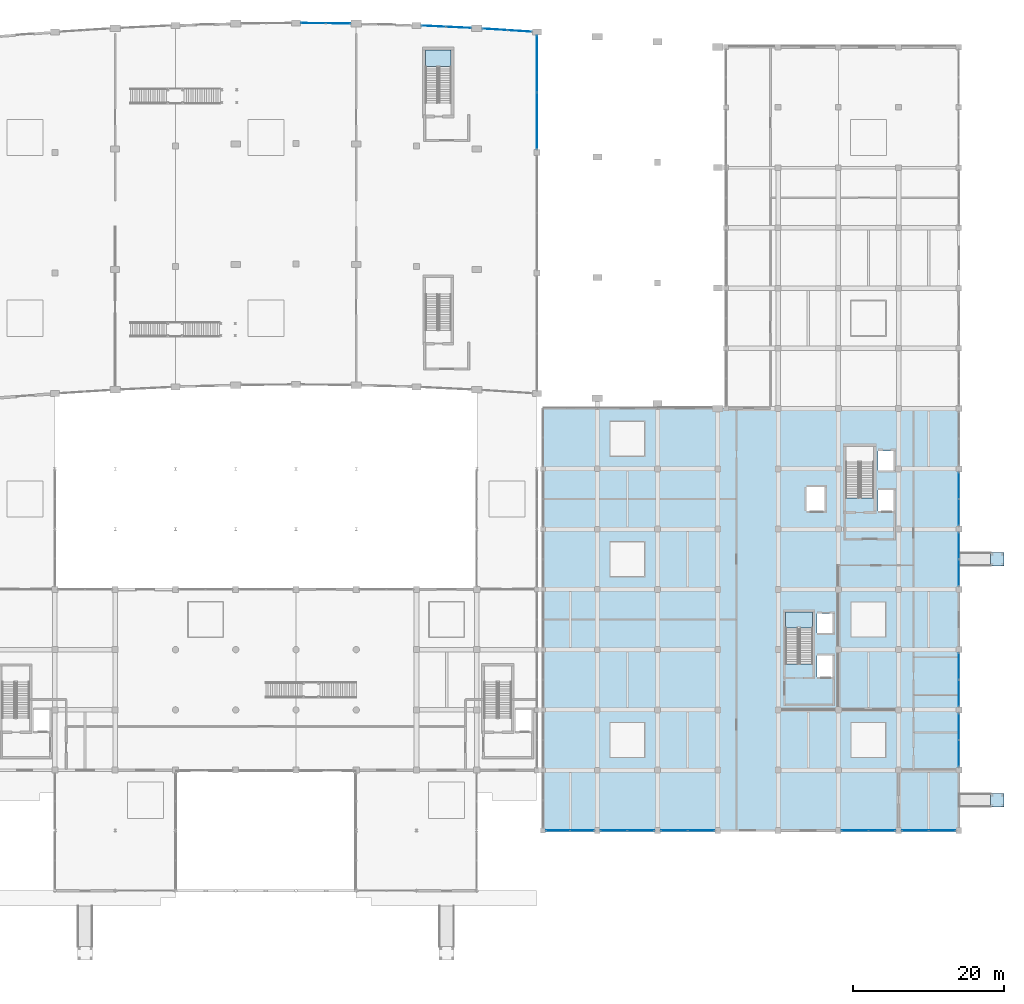
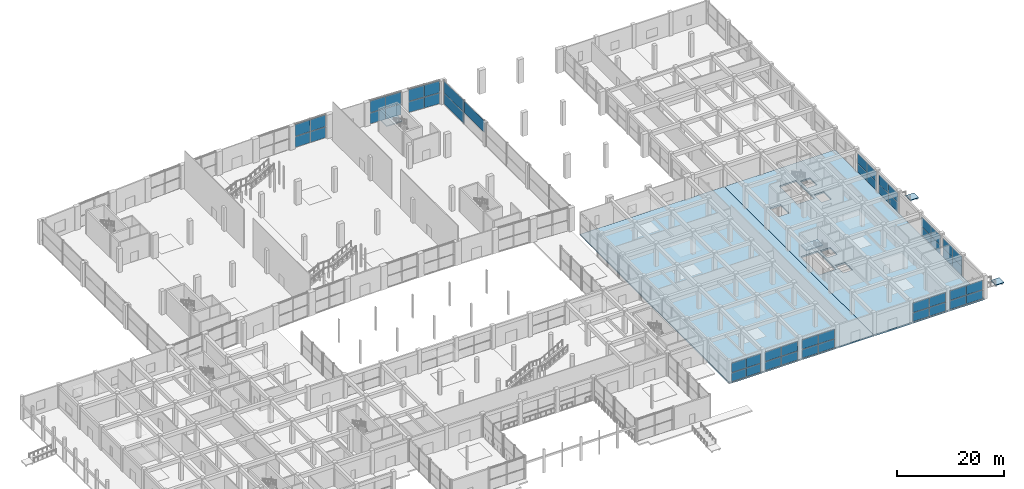
# One storey, part 52 of 86: 51 plates, 6 slabs, 17 elements without a shape of their own.
"""IFC4 building model written with IfcOpenShell, lengths in metres."""

from ifc_helpers import new_model, si_unit, direction, frame, origin, origin_2d, place, context, subcontext, project, spatial, polyline, rectangle, outline, extrude, material, layer, layer_set, type_object, element, aggregate, save


model = new_model("IFC4")

# Units and contexts
model_context = context("Model", 3, precision=1e-05, world=origin(), true_north=direction((0.0, 1.0)))
body_context = subcontext(model_context, "Body", "Model", "MODEL_VIEW")
ifc_project = project(units=[si_unit("LENGTHUNIT", "METRE"), si_unit("AREAUNIT", "SQUARE_METRE"), si_unit("VOLUMEUNIT", "CUBIC_METRE"), si_unit("PLANEANGLEUNIT", "RADIAN"), si_unit("MASSUNIT", "GRAM", prefix="KILO")], contexts=[model_context])

# Site, building, storey
site_placement = place(None, origin())
site = spatial("IfcSite", under=ifc_project, at=site_placement, CompositionType="ELEMENT")
building_placement = place(site_placement, origin())
building = spatial("IfcBuilding", under=site, at=building_placement, Name="Kenh Van Central Station", CompositionType="ELEMENT")
storey_placement = place(building_placement, origin())
storey = spatial("IfcBuildingStorey", under=building, at=storey_placement, Name="L00", CompositionType="ELEMENT", Elevation=0.0)

# Curtain wall, plates
ifc_material_1 = material(Name="Champagne anodised aluminium", Category="aluminium")
curtain_wall_type_1 = type_object("IfcCurtainWallType", Name="CW-HALL-B", PredefinedType="NOTDEFINED", material=ifc_material_1)
curtain_wall_1_placement = place(storey_placement, origin())
curtain_wall_1 = element("IfcCurtainWall", 1, at=curtain_wall_1_placement, inside=storey, type_object=curtain_wall_type_1, Name="L00 curtain wall 021", PredefinedType="NOTDEFINED")
ifc_material_2 = material(Name="Double-glazed low-E laminated solar glass", Category="glass")
ifc_layer_1 = layer(ifc_material_2, 0.031982421875, Name="Double-glazed low-E laminated solar glass")
ifc_layer_set_1 = layer_set([ifc_layer_1], Name="Double-glazed low-E laminated solar glass")
plate_type_1 = type_object("IfcPlateType", Name="CWP-IGU-32", PredefinedType="CURTAIN_PANEL", material=ifc_layer_set_1)
plate_1_placement = place(storey_placement, frame((120.0, 102.2158203125, 2.626953125), z_axis=(0.0, 0.0, 1.0), x_axis=(0.0, 1.0, 0.0)))
plate_1 = element("IfcPlate", 2, at=plate_1_placement, type_object=plate_type_1, Name="CW-02 panel 1.2", PredefinedType="CURTAIN_PANEL", context=body_context, shape_type="SweptSolid", body=[
    extrude(rectangle(XDim=7.47705078125, YDim=0.031982421875, at=origin_2d()), origin(), (0.0, 0.0, 1.0), 2.702880859375),
])
plate_2_placement = place(storey_placement, frame((120.0, 109.774658203125, 0.06982421875), z_axis=(0.0, 0.0, 1.0), x_axis=(0.0, 1.0, 0.0)))
plate_2 = element("IfcPlate", 3, at=plate_2_placement, type_object=plate_type_1, Name="CW-02 panel 2.1", PredefinedType="CURTAIN_PANEL", context=body_context, shape_type="SweptSolid", body=[
    extrude(rectangle(XDim=7.47705078125, YDim=0.031982421875, at=origin_2d()), origin(), (0.0, 0.0, 1.0), 2.487060546875),
])
plate_3_placement = place(storey_placement, frame((120.0, 109.774658203125, 2.626953125), z_axis=(0.0, 0.0, 1.0), x_axis=(0.0, 1.0, 0.0)))
plate_3 = element("IfcPlate", 4, at=plate_3_placement, type_object=plate_type_1, Name="CW-02 panel 2.2", PredefinedType="CURTAIN_PANEL", context=body_context, shape_type="SweptSolid", body=[
    extrude(rectangle(XDim=7.47705078125, YDim=0.031982421875, at=origin_2d()), origin(), (0.0, 0.0, 1.0), 2.702880859375),
])
aggregate(curtain_wall_1, [plate_1, plate_2, plate_3])

curtain_wall_type_2 = type_object("IfcCurtainWallType", Name="CW-OPER-A", PredefinedType="NOTDEFINED", material=ifc_material_1)
curtain_wall_2_placement = place(storey_placement, origin())
curtain_wall_2 = element("IfcCurtainWall", 5, at=curtain_wall_2_placement, inside=storey, type_object=curtain_wall_type_2, Name="L00 curtain wall 049", PredefinedType="NOTDEFINED")
plate_4_placement = place(storey_placement, frame((122.790771484375, 8.0, 0.072021484375), z_axis=(0.0, 0.0, 1.0), x_axis=(1.0, 0.0, 0.0)))
plate_4 = element("IfcPlate", 6, at=plate_4_placement, type_object=plate_type_1, Name="CW-07 panel 1.1", PredefinedType="CURTAIN_PANEL", context=body_context, shape_type="SweptSolid", body=[
    extrude(rectangle(XDim=3.10546875, YDim=0.031982421875, at=origin_2d()), origin(), (0.0, 0.0, 1.0), 2.013671875),
])
plate_5_placement = place(storey_placement, frame((122.790771484375, 8.0, 2.157470703125), z_axis=(0.0, 0.0, 1.0), x_axis=(1.0, 0.0, 0.0)))
plate_5 = element("IfcPlate", 7, at=plate_5_placement, type_object=plate_type_1, Name="CW-07 panel 1.2", PredefinedType="CURTAIN_PANEL", context=body_context, shape_type="SweptSolid", body=[
    extrude(rectangle(XDim=3.10546875, YDim=0.031982421875, at=origin_2d()), origin(), (0.0, 0.0, 1.0), 2.1904296875),
])
plate_6_placement = place(storey_placement, frame((125.984130859375, 8.0, 0.072021484375), z_axis=(0.0, 0.0, 1.0), x_axis=(1.0, 0.0, 0.0)))
plate_6 = element("IfcPlate", 8, at=plate_6_placement, type_object=plate_type_1, Name="CW-07 panel 2.1", PredefinedType="CURTAIN_PANEL", context=body_context, shape_type="SweptSolid", body=[
    extrude(rectangle(XDim=3.10546875, YDim=0.031982421875, at=origin_2d()), origin(), (0.0, 0.0, 1.0), 2.013671875),
])
plate_7_placement = place(storey_placement, frame((125.984130859375, 8.0, 2.157470703125), z_axis=(0.0, 0.0, 1.0), x_axis=(1.0, 0.0, 0.0)))
plate_7 = element("IfcPlate", 9, at=plate_7_placement, type_object=plate_type_1, Name="CW-07 panel 2.2", PredefinedType="CURTAIN_PANEL", context=body_context, shape_type="SweptSolid", body=[
    extrude(rectangle(XDim=3.10546875, YDim=0.031982421875, at=origin_2d()), origin(), (0.0, 0.0, 1.0), 2.1904296875),
])
aggregate(curtain_wall_2, [plate_4, plate_5, plate_6, plate_7])

curtain_wall_3_placement = place(storey_placement, origin())
curtain_wall_3 = element("IfcCurtainWall", 10, at=curtain_wall_3_placement, inside=storey, type_object=curtain_wall_type_2, Name="L00 curtain wall 050", PredefinedType="NOTDEFINED")
plate_8_placement = place(storey_placement, frame((130.20947265625, 8.0, 0.072021484375), z_axis=(0.0, 0.0, 1.0), x_axis=(1.0, 0.0, 0.0)))
plate_8 = element("IfcPlate", 11, at=plate_8_placement, type_object=plate_type_1, Name="CW-07 panel 1.1", PredefinedType="CURTAIN_PANEL", context=body_context, shape_type="SweptSolid", body=[
    extrude(rectangle(XDim=3.492919921875, YDim=0.031982421875, at=origin_2d()), origin(), (0.0, 0.0, 1.0), 2.013671875),
])
plate_9_placement = place(storey_placement, frame((130.20947265625, 8.0, 2.157470703125), z_axis=(0.0, 0.0, 1.0), x_axis=(1.0, 0.0, 0.0)))
plate_9 = element("IfcPlate", 12, at=plate_9_placement, type_object=plate_type_1, Name="CW-07 panel 1.2", PredefinedType="CURTAIN_PANEL", context=body_context, shape_type="SweptSolid", body=[
    extrude(rectangle(XDim=3.492919921875, YDim=0.031982421875, at=origin_2d()), origin(), (0.0, 0.0, 1.0), 2.1904296875),
])
plate_10_placement = place(storey_placement, frame((133.79052734375, 8.0, 0.072021484375), z_axis=(0.0, 0.0, 1.0), x_axis=(1.0, 0.0, 0.0)))
plate_10 = element("IfcPlate", 13, at=plate_10_placement, type_object=plate_type_1, Name="CW-07 panel 2.1", PredefinedType="CURTAIN_PANEL", context=body_context, shape_type="SweptSolid", body=[
    extrude(rectangle(XDim=3.492919921875, YDim=0.031982421875, at=origin_2d()), origin(), (0.0, 0.0, 1.0), 2.013671875),
])
plate_11_placement = place(storey_placement, frame((133.79052734375, 8.0, 2.157470703125), z_axis=(0.0, 0.0, 1.0), x_axis=(1.0, 0.0, 0.0)))
plate_11 = element("IfcPlate", 14, at=plate_11_placement, type_object=plate_type_1, Name="CW-07 panel 2.2", PredefinedType="CURTAIN_PANEL", context=body_context, shape_type="SweptSolid", body=[
    extrude(rectangle(XDim=3.492919921875, YDim=0.031982421875, at=origin_2d()), origin(), (0.0, 0.0, 1.0), 2.1904296875),
])
aggregate(curtain_wall_3, [plate_8, plate_9, plate_10, plate_11])

curtain_wall_4_placement = place(storey_placement, origin())
curtain_wall_4 = element("IfcCurtainWall", 15, at=curtain_wall_4_placement, inside=storey, type_object=curtain_wall_type_2, Name="L00 curtain wall 051", PredefinedType="NOTDEFINED")
plate_12_placement = place(storey_placement, frame((138.20947265625, 8.0, 0.072021484375), z_axis=(0.0, 0.0, 1.0), x_axis=(1.0, 0.0, 0.0)))
plate_12 = element("IfcPlate", 16, at=plate_12_placement, type_object=plate_type_1, Name="CW-07 panel 1.1", PredefinedType="CURTAIN_PANEL", context=body_context, shape_type="SweptSolid", body=[
    extrude(rectangle(XDim=3.492919921875, YDim=0.031982421875, at=origin_2d()), origin(), (0.0, 0.0, 1.0), 2.013671875),
])
plate_13_placement = place(storey_placement, frame((138.20947265625, 8.0, 2.157470703125), z_axis=(0.0, 0.0, 1.0), x_axis=(1.0, 0.0, 0.0)))
plate_13 = element("IfcPlate", 17, at=plate_13_placement, type_object=plate_type_1, Name="CW-07 panel 1.2", PredefinedType="CURTAIN_PANEL", context=body_context, shape_type="SweptSolid", body=[
    extrude(rectangle(XDim=3.492919921875, YDim=0.031982421875, at=origin_2d()), origin(), (0.0, 0.0, 1.0), 2.1904296875),
])
plate_14_placement = place(storey_placement, frame((141.79052734375, 8.0, 0.072021484375), z_axis=(0.0, 0.0, 1.0), x_axis=(1.0, 0.0, 0.0)))
plate_14 = element("IfcPlate", 18, at=plate_14_placement, type_object=plate_type_1, Name="CW-07 panel 2.1", PredefinedType="CURTAIN_PANEL", context=body_context, shape_type="SweptSolid", body=[
    extrude(rectangle(XDim=3.492919921875, YDim=0.031982421875, at=origin_2d()), origin(), (0.0, 0.0, 1.0), 2.013671875),
])
plate_15_placement = place(storey_placement, frame((141.79052734375, 8.0, 2.157470703125), z_axis=(0.0, 0.0, 1.0), x_axis=(1.0, 0.0, 0.0)))
plate_15 = element("IfcPlate", 19, at=plate_15_placement, type_object=plate_type_1, Name="CW-07 panel 2.2", PredefinedType="CURTAIN_PANEL", context=body_context, shape_type="SweptSolid", body=[
    extrude(rectangle(XDim=3.492919921875, YDim=0.031982421875, at=origin_2d()), origin(), (0.0, 0.0, 1.0), 2.1904296875),
])
aggregate(curtain_wall_4, [plate_12, plate_13, plate_14, plate_15])

curtain_wall_5_placement = place(storey_placement, origin())
curtain_wall_5 = element("IfcCurtainWall", 20, at=curtain_wall_5_placement, inside=storey, type_object=curtain_wall_type_2, Name="L00 curtain wall 052", PredefinedType="NOTDEFINED")
plate_16_placement = place(storey_placement, frame((162.20947265625, 8.0, 0.072021484375), z_axis=(0.0, 0.0, 1.0), x_axis=(1.0, 0.0, 0.0)))
plate_16 = element("IfcPlate", 21, at=plate_16_placement, type_object=plate_type_1, Name="CW-07 panel 1.1", PredefinedType="CURTAIN_PANEL", context=body_context, shape_type="SweptSolid", body=[
    extrude(rectangle(XDim=3.492919921875, YDim=0.031982421875, at=origin_2d()), origin(), (0.0, 0.0, 1.0), 2.013671875),
])
plate_17_placement = place(storey_placement, frame((162.20947265625, 8.0, 2.157470703125), z_axis=(0.0, 0.0, 1.0), x_axis=(1.0, 0.0, 0.0)))
plate_17 = element("IfcPlate", 22, at=plate_17_placement, type_object=plate_type_1, Name="CW-07 panel 1.2", PredefinedType="CURTAIN_PANEL", context=body_context, shape_type="SweptSolid", body=[
    extrude(rectangle(XDim=3.492919921875, YDim=0.031982421875, at=origin_2d()), origin(), (0.0, 0.0, 1.0), 2.1904296875),
])
plate_18_placement = place(storey_placement, frame((165.79052734375, 8.0, 0.072021484375), z_axis=(0.0, 0.0, 1.0), x_axis=(1.0, 0.0, 0.0)))
plate_18 = element("IfcPlate", 23, at=plate_18_placement, type_object=plate_type_1, Name="CW-07 panel 2.1", PredefinedType="CURTAIN_PANEL", context=body_context, shape_type="SweptSolid", body=[
    extrude(rectangle(XDim=3.492919921875, YDim=0.031982421875, at=origin_2d()), origin(), (0.0, 0.0, 1.0), 2.013671875),
])
plate_19_placement = place(storey_placement, frame((165.79052734375, 8.0, 2.157470703125), z_axis=(0.0, 0.0, 1.0), x_axis=(1.0, 0.0, 0.0)))
plate_19 = element("IfcPlate", 24, at=plate_19_placement, type_object=plate_type_1, Name="CW-07 panel 2.2", PredefinedType="CURTAIN_PANEL", context=body_context, shape_type="SweptSolid", body=[
    extrude(rectangle(XDim=3.492919921875, YDim=0.031982421875, at=origin_2d()), origin(), (0.0, 0.0, 1.0), 2.1904296875),
])
aggregate(curtain_wall_5, [plate_16, plate_17, plate_18, plate_19])

curtain_wall_6_placement = place(storey_placement, origin())
curtain_wall_6 = element("IfcCurtainWall", 25, at=curtain_wall_6_placement, inside=storey, type_object=curtain_wall_type_2, Name="L00 curtain wall 053", PredefinedType="NOTDEFINED")
plate_20_placement = place(storey_placement, frame((170.20947265625, 8.0, 0.072021484375), z_axis=(0.0, 0.0, 1.0), x_axis=(1.0, 0.0, 0.0)))
plate_20 = element("IfcPlate", 26, at=plate_20_placement, type_object=plate_type_1, Name="CW-07 panel 1.1", PredefinedType="CURTAIN_PANEL", context=body_context, shape_type="SweptSolid", body=[
    extrude(rectangle(XDim=3.492919921875, YDim=0.031982421875, at=origin_2d()), origin(), (0.0, 0.0, 1.0), 2.013671875),
])
plate_21_placement = place(storey_placement, frame((170.20947265625, 8.0, 2.157470703125), z_axis=(0.0, 0.0, 1.0), x_axis=(1.0, 0.0, 0.0)))
plate_21 = element("IfcPlate", 27, at=plate_21_placement, type_object=plate_type_1, Name="CW-07 panel 1.2", PredefinedType="CURTAIN_PANEL", context=body_context, shape_type="SweptSolid", body=[
    extrude(rectangle(XDim=3.492919921875, YDim=0.031982421875, at=origin_2d()), origin(), (0.0, 0.0, 1.0), 2.1904296875),
])
plate_22_placement = place(storey_placement, frame((173.79052734375, 8.0, 0.072021484375), z_axis=(0.0, 0.0, 1.0), x_axis=(1.0, 0.0, 0.0)))
plate_22 = element("IfcPlate", 28, at=plate_22_placement, type_object=plate_type_1, Name="CW-07 panel 2.1", PredefinedType="CURTAIN_PANEL", context=body_context, shape_type="SweptSolid", body=[
    extrude(rectangle(XDim=3.492919921875, YDim=0.031982421875, at=origin_2d()), origin(), (0.0, 0.0, 1.0), 2.013671875),
])
plate_23_placement = place(storey_placement, frame((173.79052734375, 8.0, 2.157470703125), z_axis=(0.0, 0.0, 1.0), x_axis=(1.0, 0.0, 0.0)))
plate_23 = element("IfcPlate", 29, at=plate_23_placement, type_object=plate_type_1, Name="CW-07 panel 2.2", PredefinedType="CURTAIN_PANEL", context=body_context, shape_type="SweptSolid", body=[
    extrude(rectangle(XDim=3.492919921875, YDim=0.031982421875, at=origin_2d()), origin(), (0.0, 0.0, 1.0), 2.1904296875),
])
aggregate(curtain_wall_6, [plate_20, plate_21, plate_22, plate_23])

curtain_wall_7_placement = place(storey_placement, origin())
curtain_wall_7 = element("IfcCurtainWall", 30, at=curtain_wall_7_placement, inside=storey, type_object=curtain_wall_type_1, Name="L00 curtain wall 011", PredefinedType="NOTDEFINED")
ifc_layer_2 = layer(ifc_material_2, 0.033935546875, Name="Double-glazed low-E laminated solar glass")
ifc_layer_set_2 = layer_set([ifc_layer_2], Name="Double-glazed low-E laminated solar glass")
plate_type_2 = type_object("IfcPlateType", Name="CWP-IGU-34", PredefinedType="CURTAIN_PANEL", material=ifc_layer_set_2)
plate_24_placement = place(storey_placement, frame((93.602783203125, 115.143798828125, 0.06982421875), z_axis=(0.0, 0.0, 1.0), x_axis=(-0.999949879657, 0.010011901592, 0.0)))
plate_24 = element("IfcPlate", 31, at=plate_24_placement, type_object=plate_type_2, Name="CW-02 panel 1.1", PredefinedType="CURTAIN_PANEL", context=body_context, shape_type="SweptSolid", body=[
    extrude(rectangle(XDim=3.22607421875, YDim=0.033935546875, at=origin_2d()), origin(), (0.0, 0.0, 1.0), 2.487060546875),
])
plate_25_placement = place(storey_placement, frame((93.602783203125, 115.143798828125, 2.626953125), z_axis=(0.0, 0.0, 1.0), x_axis=(-0.999949879657, 0.010011901592, 0.0)))
plate_25 = element("IfcPlate", 32, at=plate_25_placement, type_object=plate_type_2, Name="CW-02 panel 1.2", PredefinedType="CURTAIN_PANEL", context=body_context, shape_type="SweptSolid", body=[
    extrude(rectangle(XDim=3.22607421875, YDim=0.033935546875, at=origin_2d()), origin(), (0.0, 0.0, 1.0), 2.702880859375),
])
plate_26_placement = place(storey_placement, frame((90.296875, 115.177001953125, 0.06982421875), z_axis=(0.0, 0.0, 1.0), x_axis=(-0.999949879657, 0.010011901592, 0.0)))
plate_26 = element("IfcPlate", 33, at=plate_26_placement, type_object=plate_type_2, Name="CW-02 panel 2.1", PredefinedType="CURTAIN_PANEL", context=body_context, shape_type="SweptSolid", body=[
    extrude(rectangle(XDim=3.22607421875, YDim=0.033935546875, at=origin_2d()), origin(), (0.0, 0.0, 1.0), 2.487060546875),
])
plate_27_placement = place(storey_placement, frame((90.296875, 115.177001953125, 2.626953125), z_axis=(0.0, 0.0, 1.0), x_axis=(-0.999949879657, 0.010011901592, 0.0)))
plate_27 = element("IfcPlate", 34, at=plate_27_placement, type_object=plate_type_2, Name="CW-02 panel 2.2", PredefinedType="CURTAIN_PANEL", context=body_context, shape_type="SweptSolid", body=[
    extrude(rectangle(XDim=3.22607421875, YDim=0.033935546875, at=origin_2d()), origin(), (0.0, 0.0, 1.0), 2.702880859375),
])
aggregate(curtain_wall_7, [plate_24, plate_25, plate_26, plate_27])

curtain_wall_8_placement = place(storey_placement, origin())
curtain_wall_8 = element("IfcCurtainWall", 35, at=curtain_wall_8_placement, inside=storey, type_object=curtain_wall_type_1, Name="L00 curtain wall 013", PredefinedType="NOTDEFINED")
plate_28_placement = place(storey_placement, frame((109.594482421875, 114.616455078125, 0.06982421875), z_axis=(0.0, 0.0, 1.0), x_axis=(-0.99886644112, 0.047600764745, 0.0)))
plate_28 = element("IfcPlate", 36, at=plate_28_placement, type_object=plate_type_2, Name="CW-02 panel 1.1", PredefinedType="CURTAIN_PANEL", context=body_context, shape_type="SweptSolid", body=[
    extrude(rectangle(XDim=3.215087890625, YDim=0.033935546875, at=origin_2d()), origin(), (0.0, 0.0, 1.0), 2.487060546875),
])
plate_29_placement = place(storey_placement, frame((109.594482421875, 114.616455078125, 2.626953125), z_axis=(0.0, 0.0, 1.0), x_axis=(-0.99886644112, 0.047600764745, 0.0)))
plate_29 = element("IfcPlate", 37, at=plate_29_placement, type_object=plate_type_2, Name="CW-02 panel 1.2", PredefinedType="CURTAIN_PANEL", context=body_context, shape_type="SweptSolid", body=[
    extrude(rectangle(XDim=3.215087890625, YDim=0.033935546875, at=origin_2d()), origin(), (0.0, 0.0, 1.0), 2.702880859375),
])
plate_30_placement = place(storey_placement, frame((106.30322265625, 114.7734375, 0.06982421875), z_axis=(0.0, 0.0, 1.0), x_axis=(-0.99886644112, 0.047600764745, 0.0)))
plate_30 = element("IfcPlate", 38, at=plate_30_placement, type_object=plate_type_2, Name="CW-02 panel 2.1", PredefinedType="CURTAIN_PANEL", context=body_context, shape_type="SweptSolid", body=[
    extrude(rectangle(XDim=3.215087890625, YDim=0.033935546875, at=origin_2d()), origin(), (0.0, 0.0, 1.0), 2.487060546875),
])
plate_31_placement = place(storey_placement, frame((106.30322265625, 114.7734375, 2.626953125), z_axis=(0.0, 0.0, 1.0), x_axis=(-0.99886644112, 0.047600764745, 0.0)))
plate_31 = element("IfcPlate", 39, at=plate_31_placement, type_object=plate_type_2, Name="CW-02 panel 2.2", PredefinedType="CURTAIN_PANEL", context=body_context, shape_type="SweptSolid", body=[
    extrude(rectangle(XDim=3.215087890625, YDim=0.033935546875, at=origin_2d()), origin(), (0.0, 0.0, 1.0), 2.702880859375),
])
aggregate(curtain_wall_8, [plate_28, plate_29, plate_30, plate_31])

curtain_wall_9_placement = place(storey_placement, origin())
curtain_wall_9 = element("IfcCurtainWall", 40, at=curtain_wall_9_placement, inside=storey, type_object=curtain_wall_type_1, Name="L00 curtain wall 015", PredefinedType="NOTDEFINED")
plate_32_placement = place(storey_placement, frame((117.6943359375, 114.14111328125, 0.06982421875), z_axis=(0.0, 0.0, 1.0), x_axis=(-0.998000154852, 0.063211477724, 0.0)))
plate_32 = element("IfcPlate", 41, at=plate_32_placement, type_object=plate_type_2, Name="CW-02 panel 1.1", PredefinedType="CURTAIN_PANEL", context=body_context, shape_type="SweptSolid", body=[
    extrude(rectangle(XDim=3.21240234375, YDim=0.033935546875, at=origin_2d()), origin(), (0.0, 0.0, 1.0), 2.487060546875),
])
plate_33_placement = place(storey_placement, frame((117.6943359375, 114.14111328125, 2.626953125), z_axis=(0.0, 0.0, 1.0), x_axis=(-0.998000154852, 0.063211477724, 0.0)))
plate_33 = element("IfcPlate", 42, at=plate_33_placement, type_object=plate_type_2, Name="CW-02 panel 1.2", PredefinedType="CURTAIN_PANEL", context=body_context, shape_type="SweptSolid", body=[
    extrude(rectangle(XDim=3.21240234375, YDim=0.033935546875, at=origin_2d()), origin(), (0.0, 0.0, 1.0), 2.702880859375),
])
plate_34_placement = place(storey_placement, frame((114.408447265625, 114.349365234375, 0.06982421875), z_axis=(0.0, 0.0, 1.0), x_axis=(-0.998000154852, 0.063211477724, 0.0)))
plate_34 = element("IfcPlate", 43, at=plate_34_placement, type_object=plate_type_2, Name="CW-02 panel 2.1", PredefinedType="CURTAIN_PANEL", context=body_context, shape_type="SweptSolid", body=[
    extrude(rectangle(XDim=3.21240234375, YDim=0.033935546875, at=origin_2d()), origin(), (0.0, 0.0, 1.0), 2.487060546875),
])
plate_35_placement = place(storey_placement, frame((114.408447265625, 114.349365234375, 2.626953125), z_axis=(0.0, 0.0, 1.0), x_axis=(-0.998000154852, 0.063211477724, 0.0)))
plate_35 = element("IfcPlate", 44, at=plate_35_placement, type_object=plate_type_2, Name="CW-02 panel 2.2", PredefinedType="CURTAIN_PANEL", context=body_context, shape_type="SweptSolid", body=[
    extrude(rectangle(XDim=3.21240234375, YDim=0.033935546875, at=origin_2d()), origin(), (0.0, 0.0, 1.0), 2.702880859375),
])
aggregate(curtain_wall_9, [plate_32, plate_33, plate_34, plate_35])

curtain_wall_10_placement = place(storey_placement, origin())
curtain_wall_10 = element("IfcCurtainWall", 45, at=curtain_wall_10_placement, inside=storey, type_object=curtain_wall_type_2, Name="L00 curtain wall 054", PredefinedType="NOTDEFINED")
ifc_layer_3 = layer(ifc_material_2, 0.0380859375, Name="Double-glazed low-E laminated solar glass")
ifc_layer_set_3 = layer_set([ifc_layer_3], Name="Double-glazed low-E laminated solar glass")
plate_type_3 = type_object("IfcPlateType", Name="CWP-IGU-38", PredefinedType="CURTAIN_PANEL", material=ifc_layer_set_3)
plate_36_placement = place(storey_placement, frame((176.0, 18.221923828125, 0.072021484375), z_axis=(0.0, 0.0, 1.0), x_axis=(0.0, 1.0, 0.0)))
plate_36 = element("IfcPlate", 46, at=plate_36_placement, type_object=plate_type_3, Name="CW-07 panel 1.1", PredefinedType="CURTAIN_PANEL", context=body_context, shape_type="SweptSolid", body=[
    extrude(rectangle(XDim=3.468017578125, YDim=0.0380859375, at=origin_2d()), origin(), (0.0, 0.0, 1.0), 2.013671875),
])
plate_37_placement = place(storey_placement, frame((176.0, 18.221923828125, 2.157470703125), z_axis=(0.0, 0.0, 1.0), x_axis=(0.0, 1.0, 0.0)))
plate_37 = element("IfcPlate", 47, at=plate_37_placement, type_object=plate_type_3, Name="CW-07 panel 1.2", PredefinedType="CURTAIN_PANEL", context=body_context, shape_type="SweptSolid", body=[
    extrude(rectangle(XDim=3.468017578125, YDim=0.0380859375, at=origin_2d()), origin(), (0.0, 0.0, 1.0), 2.1904296875),
])
plate_38_placement = place(storey_placement, frame((176.0, 21.778076171875, 0.072021484375), z_axis=(0.0, 0.0, 1.0), x_axis=(0.0, 1.0, 0.0)))
plate_38 = element("IfcPlate", 48, at=plate_38_placement, type_object=plate_type_3, Name="CW-07 panel 2.1", PredefinedType="CURTAIN_PANEL", context=body_context, shape_type="SweptSolid", body=[
    extrude(rectangle(XDim=3.468017578125, YDim=0.0380859375, at=origin_2d()), origin(), (0.0, 0.0, 1.0), 2.013671875),
])
plate_39_placement = place(storey_placement, frame((176.0, 21.778076171875, 2.157470703125), z_axis=(0.0, 0.0, 1.0), x_axis=(0.0, 1.0, 0.0)))
plate_39 = element("IfcPlate", 49, at=plate_39_placement, type_object=plate_type_3, Name="CW-07 panel 2.2", PredefinedType="CURTAIN_PANEL", context=body_context, shape_type="SweptSolid", body=[
    extrude(rectangle(XDim=3.468017578125, YDim=0.0380859375, at=origin_2d()), origin(), (0.0, 0.0, 1.0), 2.1904296875),
])
aggregate(curtain_wall_10, [plate_36, plate_37, plate_38, plate_39])

curtain_wall_11_placement = place(storey_placement, origin())
curtain_wall_11 = element("IfcCurtainWall", 50, at=curtain_wall_11_placement, inside=storey, type_object=curtain_wall_type_2, Name="L00 curtain wall 055", PredefinedType="NOTDEFINED")
plate_40_placement = place(storey_placement, frame((176.0, 26.221923828125, 0.072021484375), z_axis=(0.0, 0.0, 1.0), x_axis=(0.0, 1.0, 0.0)))
plate_40 = element("IfcPlate", 51, at=plate_40_placement, type_object=plate_type_3, Name="CW-07 panel 1.1", PredefinedType="CURTAIN_PANEL", context=body_context, shape_type="SweptSolid", body=[
    extrude(rectangle(XDim=3.468017578125, YDim=0.0380859375, at=origin_2d()), origin(), (0.0, 0.0, 1.0), 2.013671875),
])
plate_41_placement = place(storey_placement, frame((176.0, 26.221923828125, 2.157470703125), z_axis=(0.0, 0.0, 1.0), x_axis=(0.0, 1.0, 0.0)))
plate_41 = element("IfcPlate", 52, at=plate_41_placement, type_object=plate_type_3, Name="CW-07 panel 1.2", PredefinedType="CURTAIN_PANEL", context=body_context, shape_type="SweptSolid", body=[
    extrude(rectangle(XDim=3.468017578125, YDim=0.0380859375, at=origin_2d()), origin(), (0.0, 0.0, 1.0), 2.1904296875),
])
plate_42_placement = place(storey_placement, frame((176.0, 29.778076171875, 0.072021484375), z_axis=(0.0, 0.0, 1.0), x_axis=(0.0, 1.0, 0.0)))
plate_42 = element("IfcPlate", 53, at=plate_42_placement, type_object=plate_type_3, Name="CW-07 panel 2.1", PredefinedType="CURTAIN_PANEL", context=body_context, shape_type="SweptSolid", body=[
    extrude(rectangle(XDim=3.468017578125, YDim=0.0380859375, at=origin_2d()), origin(), (0.0, 0.0, 1.0), 2.013671875),
])
plate_43_placement = place(storey_placement, frame((176.0, 29.778076171875, 2.157470703125), z_axis=(0.0, 0.0, 1.0), x_axis=(0.0, 1.0, 0.0)))
plate_43 = element("IfcPlate", 54, at=plate_43_placement, type_object=plate_type_3, Name="CW-07 panel 2.2", PredefinedType="CURTAIN_PANEL", context=body_context, shape_type="SweptSolid", body=[
    extrude(rectangle(XDim=3.468017578125, YDim=0.0380859375, at=origin_2d()), origin(), (0.0, 0.0, 1.0), 2.1904296875),
])
aggregate(curtain_wall_11, [plate_40, plate_41, plate_42, plate_43])

curtain_wall_12_placement = place(storey_placement, origin())
curtain_wall_12 = element("IfcCurtainWall", 55, at=curtain_wall_12_placement, inside=storey, type_object=curtain_wall_type_2, Name="L00 curtain wall 056", PredefinedType="NOTDEFINED")
plate_44_placement = place(storey_placement, frame((176.0, 42.221923828125, 0.072021484375), z_axis=(0.0, 0.0, 1.0), x_axis=(0.0, 1.0, 0.0)))
plate_44 = element("IfcPlate", 56, at=plate_44_placement, type_object=plate_type_3, Name="CW-07 panel 1.1", PredefinedType="CURTAIN_PANEL", context=body_context, shape_type="SweptSolid", body=[
    extrude(rectangle(XDim=3.468017578125, YDim=0.0380859375, at=origin_2d()), origin(), (0.0, 0.0, 1.0), 2.013671875),
])
plate_45_placement = place(storey_placement, frame((176.0, 42.221923828125, 2.157470703125), z_axis=(0.0, 0.0, 1.0), x_axis=(0.0, 1.0, 0.0)))
plate_45 = element("IfcPlate", 57, at=plate_45_placement, type_object=plate_type_3, Name="CW-07 panel 1.2", PredefinedType="CURTAIN_PANEL", context=body_context, shape_type="SweptSolid", body=[
    extrude(rectangle(XDim=3.468017578125, YDim=0.0380859375, at=origin_2d()), origin(), (0.0, 0.0, 1.0), 2.1904296875),
])
plate_46_placement = place(storey_placement, frame((176.0, 45.778076171875, 0.072021484375), z_axis=(0.0, 0.0, 1.0), x_axis=(0.0, 1.0, 0.0)))
plate_46 = element("IfcPlate", 58, at=plate_46_placement, type_object=plate_type_3, Name="CW-07 panel 2.1", PredefinedType="CURTAIN_PANEL", context=body_context, shape_type="SweptSolid", body=[
    extrude(rectangle(XDim=3.468017578125, YDim=0.0380859375, at=origin_2d()), origin(), (0.0, 0.0, 1.0), 2.013671875),
])
plate_47_placement = place(storey_placement, frame((176.0, 45.778076171875, 2.157470703125), z_axis=(0.0, 0.0, 1.0), x_axis=(0.0, 1.0, 0.0)))
plate_47 = element("IfcPlate", 59, at=plate_47_placement, type_object=plate_type_3, Name="CW-07 panel 2.2", PredefinedType="CURTAIN_PANEL", context=body_context, shape_type="SweptSolid", body=[
    extrude(rectangle(XDim=3.468017578125, YDim=0.0380859375, at=origin_2d()), origin(), (0.0, 0.0, 1.0), 2.1904296875),
])
aggregate(curtain_wall_12, [plate_44, plate_45, plate_46, plate_47])

curtain_wall_13_placement = place(storey_placement, origin())
curtain_wall_13 = element("IfcCurtainWall", 60, at=curtain_wall_13_placement, inside=storey, type_object=curtain_wall_type_2, Name="L00 curtain wall 057", PredefinedType="NOTDEFINED")
plate_48_placement = place(storey_placement, frame((176.0, 50.221923828125, 0.072021484375), z_axis=(0.0, 0.0, 1.0), x_axis=(0.0, 1.0, 0.0)))
plate_48 = element("IfcPlate", 61, at=plate_48_placement, type_object=plate_type_3, Name="CW-07 panel 1.1", PredefinedType="CURTAIN_PANEL", context=body_context, shape_type="SweptSolid", body=[
    extrude(rectangle(XDim=3.468017578125, YDim=0.0380859375, at=origin_2d()), origin(), (0.0, 0.0, 1.0), 2.013671875),
])
plate_49_placement = place(storey_placement, frame((176.0, 50.221923828125, 2.157470703125), z_axis=(0.0, 0.0, 1.0), x_axis=(0.0, 1.0, 0.0)))
plate_49 = element("IfcPlate", 62, at=plate_49_placement, type_object=plate_type_3, Name="CW-07 panel 1.2", PredefinedType="CURTAIN_PANEL", context=body_context, shape_type="SweptSolid", body=[
    extrude(rectangle(XDim=3.468017578125, YDim=0.0380859375, at=origin_2d()), origin(), (0.0, 0.0, 1.0), 2.1904296875),
])
plate_50_placement = place(storey_placement, frame((176.0, 53.778076171875, 0.072021484375), z_axis=(0.0, 0.0, 1.0), x_axis=(0.0, 1.0, 0.0)))
plate_50 = element("IfcPlate", 63, at=plate_50_placement, type_object=plate_type_3, Name="CW-07 panel 2.1", PredefinedType="CURTAIN_PANEL", context=body_context, shape_type="SweptSolid", body=[
    extrude(rectangle(XDim=3.468017578125, YDim=0.0380859375, at=origin_2d()), origin(), (0.0, 0.0, 1.0), 2.013671875),
])
plate_51_placement = place(storey_placement, frame((176.0, 53.778076171875, 2.157470703125), z_axis=(0.0, 0.0, 1.0), x_axis=(0.0, 1.0, 0.0)))
plate_51 = element("IfcPlate", 64, at=plate_51_placement, type_object=plate_type_3, Name="CW-07 panel 2.2", PredefinedType="CURTAIN_PANEL", context=body_context, shape_type="SweptSolid", body=[
    extrude(rectangle(XDim=3.468017578125, YDim=0.0380859375, at=origin_2d()), origin(), (0.0, 0.0, 1.0), 2.1904296875),
])
aggregate(curtain_wall_13, [plate_48, plate_49, plate_50, plate_51])

# Slabs
ifc_material_3 = material(Name="Concrete C35/45", Category="concrete")
ifc_layer_4 = layer(ifc_material_3, 0.300048828125, Name="Concrete C35/45")
ifc_layer_set_4 = layer_set([ifc_layer_4], Name="Concrete C35/45")
slab_type_1 = type_object("IfcSlabType", Name="SLB-FLR-300", PredefinedType="FLOOR", material=ifc_layer_set_4)
slab_1_placement = place(storey_placement, frame((0.0, 0.0, -0.300048828125)))
element("IfcSlab", 65, at=slab_1_placement, inside=storey, type_object=slab_type_1, Name="L00 slab SLB-L00-EA", PredefinedType="FLOOR", context=body_context, shape_type="SweptSolid", body=[
    extrude(outline(polyline([(121.10009765625, 8.0), (152.0, 8.0), (152.0, 64.0), (120.800048828125, 64.0), (120.800048828125, 8.300048828125), (121.10009765625, 8.0)])), origin(), (0.0, 0.0, 1.0), 0.300048828125),
])
ifc_material_4 = material(Name="Concrete C40/50", Category="concrete")
ifc_layer_5 = layer(ifc_material_4, 0.340087890625, Name="Concrete C40/50")
ifc_layer_set_5 = layer_set([ifc_layer_5], Name="Concrete C40/50")
slab_type_2 = type_object("IfcSlabType", Name="SLB-FLR-340", PredefinedType="FLOOR", material=ifc_layer_set_5)
slab_2_placement = place(storey_placement, frame((0.0, 0.0, -0.340087890625)))
element("IfcSlab", 66, at=slab_2_placement, inside=storey, type_object=slab_type_2, Name="L00 slab SLB-L00-EB", PredefinedType="FLOOR", context=body_context, shape_type="SweptSolid", body=[
    extrude(outline(polyline([(152.0, 8.0), (176.0, 8.0), (176.0, 64.0), (152.0, 64.0), (152.0, 8.0)]), holes=[polyline([(167.35009765625, 50.39990234375), (165.25, 50.39990234375), (165.25, 53.199951171875), (167.35009765625, 53.199951171875), (167.35009765625, 50.39990234375)]), polyline([(167.35009765625, 55.800048828125), (165.25, 55.800048828125), (165.25, 58.39990234375), (167.35009765625, 58.39990234375), (167.35009765625, 55.800048828125)]), polyline([(164.699951171875, 52.1650390625), (161.0, 52.1650390625), (161.0, 59.0), (164.699951171875, 59.0), (164.699951171875, 52.1650390625)]), polyline([(159.25, 28.39990234375), (157.14990234375, 28.39990234375), (157.14990234375, 31.199951171875), (159.25, 31.199951171875), (159.25, 28.39990234375)]), polyline([(159.25, 34.199951171875), (157.14990234375, 34.199951171875), (157.14990234375, 36.800048828125), (159.25, 36.800048828125), (159.25, 34.199951171875)]), polyline([(158.199951171875, 50.39990234375), (155.800048828125, 50.39990234375), (155.800048828125, 53.60009765625), (158.199951171875, 53.60009765625), (158.199951171875, 50.39990234375)]), polyline([(156.60009765625, 30.114990234375), (153.0, 30.114990234375), (153.0, 37.0), (156.60009765625, 37.0), (156.60009765625, 30.114990234375)])]), origin(), (0.0, 0.0, 1.0), 0.340087890625),
])

# Ramp, slab
ramp_type = type_object("IfcRampType", Name="RMP-ACC-1800", PredefinedType="STRAIGHT_RUN_RAMP", material=ifc_material_4)
ramp_1_placement = place(storey_placement, origin())
ramp_1 = element("IfcRamp", 67, at=ramp_1_placement, inside=storey, type_object=ramp_type, Name="Fire Command Street Threshold Ramp", PredefinedType="STRAIGHT_RUN_RAMP")
ifc_layer_6 = layer(ifc_material_4, 0.175048828125, Name="Concrete C40/50")
ifc_layer_set_6 = layer_set([ifc_layer_6], Name="Concrete C40/50")
slab_type_3 = type_object("IfcSlabType", Name="SLB-LAND-175", PredefinedType="LANDING", material=ifc_layer_set_6)
slab_3_placement = place(storey_placement, frame((0.0, 0.0, -0.52490234375)))
slab_3 = element("IfcSlab", 68, at=slab_3_placement, type_object=slab_type_3, Name="Fire Command Street Threshold Ramp bottom landing", PredefinedType="LANDING", context=body_context, shape_type="SweptSolid", body=[
    extrude(outline(polyline([(182.0, 12.89990234375), (180.199951171875, 12.89990234375), (180.199951171875, 11.10009765625), (182.0, 11.10009765625), (182.0, 12.89990234375)])), origin(), (0.0, 0.0, 1.0), 0.1748046875),
])
aggregate(ramp_1, [slab_3])

ramp_2_placement = place(storey_placement, origin())
ramp_2 = element("IfcRamp", 69, at=ramp_2_placement, inside=storey, type_object=ramp_type, Name="Operations East Entrance Accessible Ramp", PredefinedType="STRAIGHT_RUN_RAMP")
slab_4_placement = place(storey_placement, frame((0.0, 0.0, -0.52490234375)))
slab_4 = element("IfcSlab", 70, at=slab_4_placement, type_object=slab_type_3, Name="Operations East Entrance Accessible Ramp bottom landing", PredefinedType="LANDING", context=body_context, shape_type="SweptSolid", body=[
    extrude(outline(polyline([(182.0, 44.89990234375), (180.199951171875, 44.89990234375), (180.199951171875, 43.10009765625), (182.0, 43.10009765625), (182.0, 44.89990234375)])), origin(), (0.0, 0.0, 1.0), 0.1748046875),
])
aggregate(ramp_2, [slab_4])

# Stair, slab
stair_type_1 = type_object("IfcStairType", Name="STR-DLG-1600", PredefinedType="HALF_TURN_STAIR", material=ifc_material_3)
stair_1_placement = place(storey_placement, origin())
stair_1 = element("IfcStair", 71, at=stair_1_placement, inside=storey, type_object=stair_type_1, Name="L00 Island Platform 2 East Evacuation Core", PredefinedType="HALF_TURN_STAIR")
ifc_layer_7 = layer(ifc_material_3, 0.199951171875, Name="Concrete C35/45")
ifc_layer_set_7 = layer_set([ifc_layer_7], Name="Concrete C35/45")
slab_type_4 = type_object("IfcSlabType", Name="SLB-LAND-200", PredefinedType="LANDING", material=ifc_layer_set_7)
slab_5_placement = place(storey_placement, frame((0.0, 0.0, 2.5)))
slab_5 = element("IfcSlab", 72, at=slab_5_placement, type_object=slab_type_4, Name="ST-08 landing 1", PredefinedType="LANDING", context=body_context, shape_type="SweptSolid", body=[
    extrude(outline(polyline([(108.60009765625, 109.39990234375), (108.60009765625, 111.60009765625), (105.199951171875, 111.60009765625), (105.199951171875, 109.39990234375), (108.60009765625, 109.39990234375)])), origin(), (0.0, 0.0, 1.0), 0.199951171875),
])
aggregate(stair_1, [slab_5])

stair_type_2 = type_object("IfcStairType", Name="STR-DLG-1700", PredefinedType="HALF_TURN_STAIR", material=ifc_material_3)
stair_2_placement = place(storey_placement, origin())
stair_2 = element("IfcStair", 73, at=stair_2_placement, inside=storey, type_object=stair_type_2, Name="L00 Operations South Firefighting Core", PredefinedType="HALF_TURN_STAIR")
slab_6_placement = place(storey_placement, frame((0.0, 0.0, 2.5)))
slab_6 = element("IfcSlab", 74, at=slab_6_placement, type_object=slab_type_4, Name="ST-09 landing 1", PredefinedType="LANDING", context=body_context, shape_type="SweptSolid", body=[
    extrude(outline(polyline([(156.60009765625, 34.89990234375), (156.60009765625, 37.0), (153.0, 37.0), (153.0, 34.89990234375), (156.60009765625, 34.89990234375)])), origin(), (0.0, 0.0, 1.0), 0.199951171875),
])
aggregate(stair_2, [slab_6])

save(model, "model.ifc")
